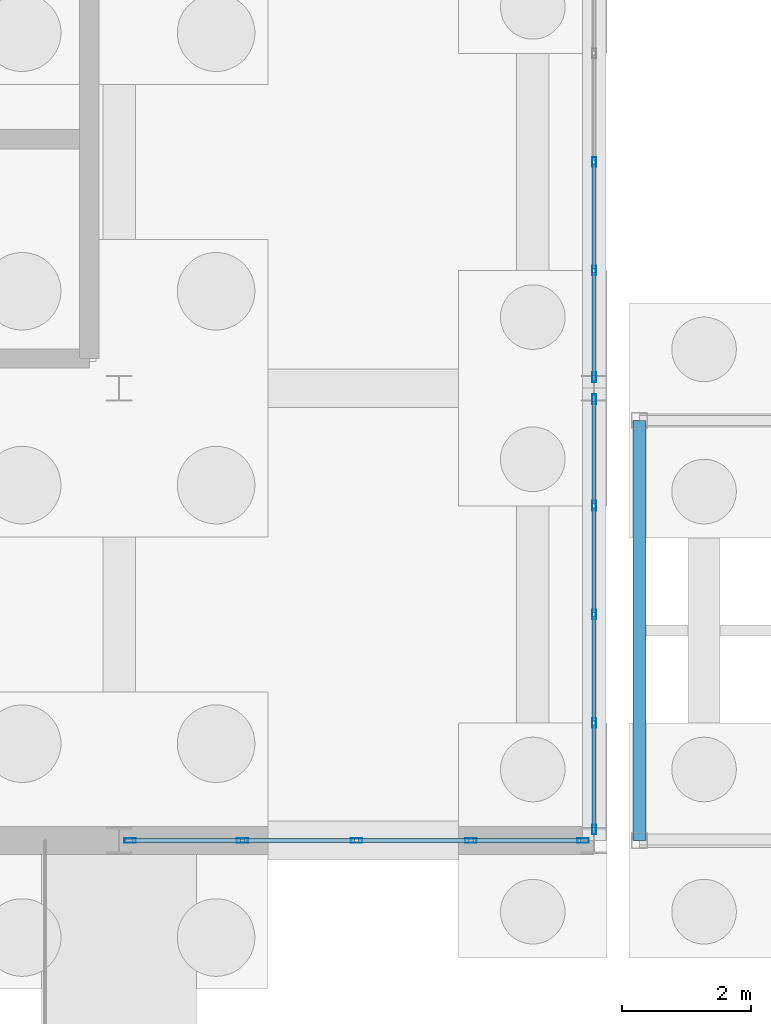
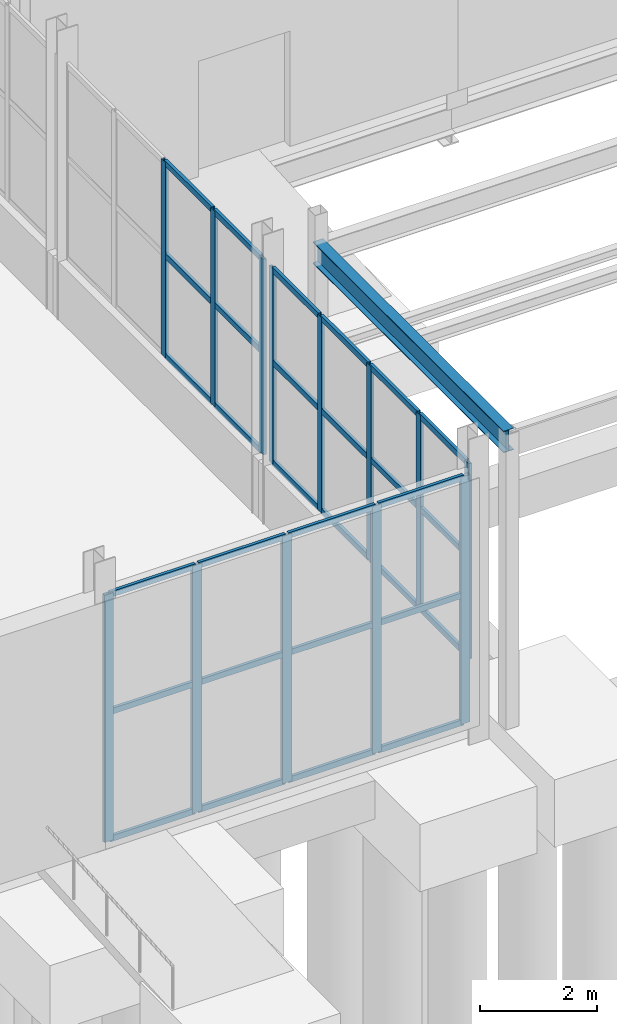
# One storey, part 55 of 139: 43 members, 1 beam, 3 elements without a shape of their own.
"""IFC4 building model written with IfcOpenShell, lengths in metres."""

from ifc_helpers import new_model, si_unit, direction, frame, origin, origin_2d, place, context, subcontext, project, spatial, hollow_rectangle, i_section, extrude, material, material_profile, profile_set, type_object, element, aggregate, save


model = new_model("IFC4")

# Units and contexts
model_context = context("Model", 3, precision=1e-05, world=origin(), true_north=direction((0.0, 1.0)))
body_context = subcontext(model_context, "Body", "Model", "MODEL_VIEW")
ifc_project = project(units=[si_unit("LENGTHUNIT", "METRE"), si_unit("AREAUNIT", "SQUARE_METRE"), si_unit("VOLUMEUNIT", "CUBIC_METRE"), si_unit("PLANEANGLEUNIT", "RADIAN"), si_unit("MASSUNIT", "GRAM", prefix="KILO")], contexts=[model_context])

# Site, building, storey
site_placement = place(None, origin())
site = spatial("IfcSite", under=ifc_project, at=site_placement, CompositionType="ELEMENT")
building_placement = place(site_placement, origin())
building = spatial("IfcBuilding", under=site, at=building_placement, Name="Kazenagashi Tramway Depot", CompositionType="ELEMENT")
storey_placement = place(building_placement, origin())
storey = spatial("IfcBuildingStorey", under=building, at=storey_placement, Name="L01", CompositionType="ELEMENT", Elevation=0.0)

# Beam
ifc_material_1 = material(Name="Weathering Steel SMA490W", Category="steel")
ifc_material_profile_1 = material_profile(ifc_material_1, i_section(OverallWidth=0.2, OverallDepth=0.45, WebThickness=0.009, FlangeThickness=0.014, at=origin_2d()), Name="H-450x200x9x14")
ifc_profile_set_1 = profile_set([ifc_material_profile_1], Name="Weathering Steel SMA490W")
beam_type = type_object("IfcBeamType", Name="G-04", PredefinedType="BEAM", material=ifc_profile_set_1)
beam_placement = place(storey_placement, frame((44.8, 0.0, 5.55), z_axis=(0.0, 1.0, 0.0), x_axis=(-1.0, 0.0, 0.0)))
element("IfcBeam", 1, at=beam_placement, inside=storey, type_object=beam_type, Name="Beam G-04 BM-1912", PredefinedType="BEAM", context=body_context, shape_type="SweptSolid", body=[
    extrude(i_section(OverallWidth=0.2, OverallDepth=0.45, WebThickness=0.009, FlangeThickness=0.014, at=origin_2d()), origin(), (0.0, 0.0, 1.0), 6.5),
])

# Curtain wall, members
ifc_material_2 = material(Name="Anodised Aluminium and Low-E Glazing", Category="aluminium")
curtain_wall_type_1 = type_object("IfcCurtainWallType", Name="CW-33", PredefinedType="USERDEFINED", material=ifc_material_2)
curtain_wall_1_placement = place(storey_placement, origin())
curtain_wall_1 = element("IfcCurtainWall", 2, at=curtain_wall_1_placement, inside=storey, type_object=curtain_wall_type_1, Name="Industrial Glazed Screen CW-33 CW-0180", ObjectType="GLAZED SCREEN", PredefinedType="USERDEFINED")
ifc_material_3 = material(Name="Anodised Aluminium", Category="aluminium")
ifc_material_profile_2 = material_profile(ifc_material_3, hollow_rectangle(XDim=0.06, YDim=0.15, WallThickness=0.004, at=origin_2d()), Name="RHS-150x60x4")
ifc_profile_set_2 = profile_set([ifc_material_profile_2], Name="Anodised Aluminium")
member_type_1 = type_object("IfcMemberType", Name="ML-01", PredefinedType="MULLION", material=ifc_profile_set_2)
member_1_placement = place(storey_placement, frame((44.1, 0.17, 1.2), z_axis=(0.0, 0.0, 1.0), x_axis=(-1.0, 0.0, 0.0)))
member_1 = element("IfcMember", 3, at=member_1_placement, type_object=member_type_1, Name="CW-33 mullion 1", PredefinedType="MULLION", context=body_context, shape_type="SweptSolid", body=[
    extrude(hollow_rectangle(XDim=0.06, YDim=0.15, WallThickness=0.004, at=origin_2d()), origin(), (0.0, 0.0, 1.0), 4.062),
])
member_2_placement = place(storey_placement, frame((44.1, 1.82, 1.2), z_axis=(0.0, 0.0, 1.0), x_axis=(-1.0, 0.0, 0.0)))
member_2 = element("IfcMember", 4, at=member_2_placement, type_object=member_type_1, Name="CW-33 mullion 2", PredefinedType="MULLION", context=body_context, shape_type="SweptSolid", body=[
    extrude(hollow_rectangle(XDim=0.06, YDim=0.15, WallThickness=0.004, at=origin_2d()), origin(), (0.0, 0.0, 1.0), 4.062),
])
member_3_placement = place(storey_placement, frame((44.1, 3.5, 1.2), z_axis=(0.0, 0.0, 1.0), x_axis=(-1.0, 0.0, 0.0)))
member_3 = element("IfcMember", 5, at=member_3_placement, type_object=member_type_1, Name="CW-33 mullion 3", PredefinedType="MULLION", context=body_context, shape_type="SweptSolid", body=[
    extrude(hollow_rectangle(XDim=0.06, YDim=0.15, WallThickness=0.004, at=origin_2d()), origin(), (0.0, 0.0, 1.0), 4.062),
])
member_4_placement = place(storey_placement, frame((44.1, 5.18, 1.2), z_axis=(0.0, 0.0, 1.0), x_axis=(-1.0, 0.0, 0.0)))
member_4 = element("IfcMember", 6, at=member_4_placement, type_object=member_type_1, Name="CW-33 mullion 4", PredefinedType="MULLION", context=body_context, shape_type="SweptSolid", body=[
    extrude(hollow_rectangle(XDim=0.06, YDim=0.15, WallThickness=0.004, at=origin_2d()), origin(), (0.0, 0.0, 1.0), 4.062),
])
member_5_placement = place(storey_placement, frame((44.1, 6.83, 1.2), z_axis=(0.0, 0.0, 1.0), x_axis=(-1.0, 0.0, 0.0)))
member_5 = element("IfcMember", 7, at=member_5_placement, type_object=member_type_1, Name="CW-33 mullion 5", PredefinedType="MULLION", context=body_context, shape_type="SweptSolid", body=[
    extrude(hollow_rectangle(XDim=0.06, YDim=0.15, WallThickness=0.004, at=origin_2d()), origin(), (0.0, 0.0, 1.0), 4.062),
])

curtain_wall_2_placement = place(storey_placement, origin())
curtain_wall_2 = element("IfcCurtainWall", 8, at=curtain_wall_2_placement, inside=storey, type_object=curtain_wall_type_1, Name="Industrial Glazed Screen CW-33 CW-0182", ObjectType="GLAZED SCREEN", PredefinedType="USERDEFINED")
member_6_placement = place(storey_placement, frame((44.1, 7.17, 1.2), z_axis=(0.0, 0.0, 1.0), x_axis=(-1.0, 0.0, 0.0)))
member_6 = element("IfcMember", 9, at=member_6_placement, type_object=member_type_1, Name="CW-33 mullion 1", PredefinedType="MULLION", context=body_context, shape_type="SweptSolid", body=[
    extrude(hollow_rectangle(XDim=0.06, YDim=0.15, WallThickness=0.004, at=origin_2d()), origin(), (0.0, 0.0, 1.0), 4.062),
])
member_7_placement = place(storey_placement, frame((44.1, 8.82, 1.2), z_axis=(0.0, 0.0, 1.0), x_axis=(-1.0, 0.0, 0.0)))
member_7 = element("IfcMember", 10, at=member_7_placement, type_object=member_type_1, Name="CW-33 mullion 2", PredefinedType="MULLION", context=body_context, shape_type="SweptSolid", body=[
    extrude(hollow_rectangle(XDim=0.06, YDim=0.15, WallThickness=0.004, at=origin_2d()), origin(), (0.0, 0.0, 1.0), 4.062),
])
member_8_placement = place(storey_placement, frame((44.1, 10.5, 1.2), z_axis=(0.0, 0.0, 1.0), x_axis=(-1.0, 0.0, 0.0)))
member_8 = element("IfcMember", 11, at=member_8_placement, type_object=member_type_1, Name="CW-33 mullion 3", PredefinedType="MULLION", context=body_context, shape_type="SweptSolid", body=[
    extrude(hollow_rectangle(XDim=0.06, YDim=0.15, WallThickness=0.004, at=origin_2d()), origin(), (0.0, 0.0, 1.0), 4.062),
])

curtain_wall_type_2 = type_object("IfcCurtainWallType", Name="CW-24", PredefinedType="USERDEFINED", material=ifc_material_2)
curtain_wall_3_placement = place(storey_placement, origin())
curtain_wall_3 = element("IfcCurtainWall", 12, at=curtain_wall_3_placement, inside=storey, type_object=curtain_wall_type_2, Name="Industrial Glazed Screen CW-24 CW-0142", ObjectType="GLAZED SCREEN", PredefinedType="USERDEFINED")
ifc_material_profile_3 = material_profile(ifc_material_3, hollow_rectangle(XDim=0.07, YDim=0.18, WallThickness=0.005, at=origin_2d()), Name="RHS-180x70x5")
ifc_profile_set_3 = profile_set([ifc_material_profile_3], Name="Anodised Aluminium")
member_type_2 = type_object("IfcMemberType", Name="ML-02", PredefinedType="MULLION", material=ifc_profile_set_3)
member_9_placement = place(storey_placement, frame((36.92, 0.0, 0.0), z_axis=(0.0, 0.0, 1.0), x_axis=(0.0, 1.0, 0.0)))
member_9 = element("IfcMember", 13, at=member_9_placement, type_object=member_type_2, Name="CW-24 mullion 1", PredefinedType="MULLION", context=body_context, shape_type="SweptSolid", body=[
    extrude(hollow_rectangle(XDim=0.07, YDim=0.18, WallThickness=0.005, at=origin_2d()), origin(), (0.0, 0.0, 1.0), 5.14),
])
member_10_placement = place(storey_placement, frame((38.6575, 0.0, 0.0), z_axis=(0.0, 0.0, 1.0), x_axis=(0.0, 1.0, 0.0)))
member_10 = element("IfcMember", 14, at=member_10_placement, type_object=member_type_2, Name="CW-24 mullion 2", PredefinedType="MULLION", context=body_context, shape_type="SweptSolid", body=[
    extrude(hollow_rectangle(XDim=0.07, YDim=0.18, WallThickness=0.005, at=origin_2d()), origin(), (0.0, 0.0, 1.0), 5.14),
])
member_11_placement = place(storey_placement, frame((40.425, 0.0, 0.0), z_axis=(0.0, 0.0, 1.0), x_axis=(0.0, 1.0, 0.0)))
member_11 = element("IfcMember", 15, at=member_11_placement, type_object=member_type_2, Name="CW-24 mullion 3", PredefinedType="MULLION", context=body_context, shape_type="SweptSolid", body=[
    extrude(hollow_rectangle(XDim=0.07, YDim=0.18, WallThickness=0.005, at=origin_2d()), origin(), (0.0, 0.0, 1.0), 5.14),
])
member_12_placement = place(storey_placement, frame((42.1925, 0.0, 0.0), z_axis=(0.0, 0.0, 1.0), x_axis=(0.0, 1.0, 0.0)))
member_12 = element("IfcMember", 16, at=member_12_placement, type_object=member_type_2, Name="CW-24 mullion 4", PredefinedType="MULLION", context=body_context, shape_type="SweptSolid", body=[
    extrude(hollow_rectangle(XDim=0.07, YDim=0.18, WallThickness=0.005, at=origin_2d()), origin(), (0.0, 0.0, 1.0), 5.14),
])
member_13_placement = place(storey_placement, frame((43.93, 0.0, 0.0), z_axis=(0.0, 0.0, 1.0), x_axis=(0.0, 1.0, 0.0)))
member_13 = element("IfcMember", 17, at=member_13_placement, type_object=member_type_2, Name="CW-24 mullion 5", PredefinedType="MULLION", context=body_context, shape_type="SweptSolid", body=[
    extrude(hollow_rectangle(XDim=0.07, YDim=0.18, WallThickness=0.005, at=origin_2d()), origin(), (0.0, 0.0, 1.0), 5.14),
])
ifc_material_profile_4 = material_profile(ifc_material_3, hollow_rectangle(XDim=0.06, YDim=0.12, WallThickness=0.004, at=origin_2d()), Name="RHS-120x60x4")
ifc_profile_set_4 = profile_set([ifc_material_profile_4], Name="Anodised Aluminium")
member_type_3 = type_object("IfcMemberType", Name="TR-01", PredefinedType="USERDEFINED", material=ifc_profile_set_4)
member_14_placement = place(storey_placement, frame((36.95, 0.0, 0.03), z_axis=(1.0, 0.0, 0.0), x_axis=(0.0, 1.0, 0.0)))
member_14 = element("IfcMember", 18, at=member_14_placement, type_object=member_type_3, Name="CW-24 transom 1.1", ObjectType="TRANSOM", PredefinedType="USERDEFINED", context=body_context, shape_type="SweptSolid", body=[
    extrude(hollow_rectangle(XDim=0.06, YDim=0.12, WallThickness=0.004, at=origin_2d()), origin(), (0.0, 0.0, 1.0), 1.6775),
])
member_15_placement = place(storey_placement, frame((36.95, 0.0, 2.673), z_axis=(1.0, 0.0, 0.0), x_axis=(0.0, 1.0, 0.0)))
member_15 = element("IfcMember", 19, at=member_15_placement, type_object=member_type_3, Name="CW-24 transom 1.2", ObjectType="TRANSOM", PredefinedType="USERDEFINED", context=body_context, shape_type="SweptSolid", body=[
    extrude(hollow_rectangle(XDim=0.06, YDim=0.12, WallThickness=0.004, at=origin_2d()), origin(), (0.0, 0.0, 1.0), 1.6775),
])
member_16_placement = place(storey_placement, frame((36.95, 0.0, 5.11), z_axis=(1.0, 0.0, 0.0), x_axis=(0.0, 1.0, 0.0)))
member_16 = element("IfcMember", 20, at=member_16_placement, type_object=member_type_3, Name="CW-24 transom 1.3", ObjectType="TRANSOM", PredefinedType="USERDEFINED", context=body_context, shape_type="SweptSolid", body=[
    extrude(hollow_rectangle(XDim=0.06, YDim=0.12, WallThickness=0.004, at=origin_2d()), origin(), (0.0, 0.0, 1.0), 1.6775),
])
member_17_placement = place(storey_placement, frame((38.6875, 0.0, 0.03), z_axis=(1.0, 0.0, 0.0), x_axis=(0.0, 1.0, 0.0)))
member_17 = element("IfcMember", 21, at=member_17_placement, type_object=member_type_3, Name="CW-24 transom 2.1", ObjectType="TRANSOM", PredefinedType="USERDEFINED", context=body_context, shape_type="SweptSolid", body=[
    extrude(hollow_rectangle(XDim=0.06, YDim=0.12, WallThickness=0.004, at=origin_2d()), origin(), (0.0, 0.0, 1.0), 1.7075),
])
member_18_placement = place(storey_placement, frame((38.6875, 0.0, 2.673), z_axis=(1.0, 0.0, 0.0), x_axis=(0.0, 1.0, 0.0)))
member_18 = element("IfcMember", 22, at=member_18_placement, type_object=member_type_3, Name="CW-24 transom 2.2", ObjectType="TRANSOM", PredefinedType="USERDEFINED", context=body_context, shape_type="SweptSolid", body=[
    extrude(hollow_rectangle(XDim=0.06, YDim=0.12, WallThickness=0.004, at=origin_2d()), origin(), (0.0, 0.0, 1.0), 1.7075),
])
member_19_placement = place(storey_placement, frame((38.6875, 0.0, 5.11), z_axis=(1.0, 0.0, 0.0), x_axis=(0.0, 1.0, 0.0)))
member_19 = element("IfcMember", 23, at=member_19_placement, type_object=member_type_3, Name="CW-24 transom 2.3", ObjectType="TRANSOM", PredefinedType="USERDEFINED", context=body_context, shape_type="SweptSolid", body=[
    extrude(hollow_rectangle(XDim=0.06, YDim=0.12, WallThickness=0.004, at=origin_2d()), origin(), (0.0, 0.0, 1.0), 1.7075),
])
member_20_placement = place(storey_placement, frame((40.455, 0.0, 0.03), z_axis=(1.0, 0.0, 0.0), x_axis=(0.0, 1.0, 0.0)))
member_20 = element("IfcMember", 24, at=member_20_placement, type_object=member_type_3, Name="CW-24 transom 3.1", ObjectType="TRANSOM", PredefinedType="USERDEFINED", context=body_context, shape_type="SweptSolid", body=[
    extrude(hollow_rectangle(XDim=0.06, YDim=0.12, WallThickness=0.004, at=origin_2d()), origin(), (0.0, 0.0, 1.0), 1.7075),
])
member_21_placement = place(storey_placement, frame((40.455, 0.0, 2.673), z_axis=(1.0, 0.0, 0.0), x_axis=(0.0, 1.0, 0.0)))
member_21 = element("IfcMember", 25, at=member_21_placement, type_object=member_type_3, Name="CW-24 transom 3.2", ObjectType="TRANSOM", PredefinedType="USERDEFINED", context=body_context, shape_type="SweptSolid", body=[
    extrude(hollow_rectangle(XDim=0.06, YDim=0.12, WallThickness=0.004, at=origin_2d()), origin(), (0.0, 0.0, 1.0), 1.7075),
])
member_22_placement = place(storey_placement, frame((40.455, 0.0, 5.11), z_axis=(1.0, 0.0, 0.0), x_axis=(0.0, 1.0, 0.0)))
member_22 = element("IfcMember", 26, at=member_22_placement, type_object=member_type_3, Name="CW-24 transom 3.3", ObjectType="TRANSOM", PredefinedType="USERDEFINED", context=body_context, shape_type="SweptSolid", body=[
    extrude(hollow_rectangle(XDim=0.06, YDim=0.12, WallThickness=0.004, at=origin_2d()), origin(), (0.0, 0.0, 1.0), 1.7075),
])
member_23_placement = place(storey_placement, frame((42.2225, 0.0, 0.03), z_axis=(1.0, 0.0, 0.0), x_axis=(0.0, 1.0, 0.0)))
member_23 = element("IfcMember", 27, at=member_23_placement, type_object=member_type_3, Name="CW-24 transom 4.1", ObjectType="TRANSOM", PredefinedType="USERDEFINED", context=body_context, shape_type="SweptSolid", body=[
    extrude(hollow_rectangle(XDim=0.06, YDim=0.12, WallThickness=0.004, at=origin_2d()), origin(), (0.0, 0.0, 1.0), 1.6775),
])
member_24_placement = place(storey_placement, frame((42.2225, 0.0, 2.673), z_axis=(1.0, 0.0, 0.0), x_axis=(0.0, 1.0, 0.0)))
member_24 = element("IfcMember", 28, at=member_24_placement, type_object=member_type_3, Name="CW-24 transom 4.2", ObjectType="TRANSOM", PredefinedType="USERDEFINED", context=body_context, shape_type="SweptSolid", body=[
    extrude(hollow_rectangle(XDim=0.06, YDim=0.12, WallThickness=0.004, at=origin_2d()), origin(), (0.0, 0.0, 1.0), 1.6775),
])
member_25_placement = place(storey_placement, frame((42.2225, 0.0, 5.11), z_axis=(1.0, 0.0, 0.0), x_axis=(0.0, 1.0, 0.0)))
member_25 = element("IfcMember", 29, at=member_25_placement, type_object=member_type_3, Name="CW-24 transom 4.3", ObjectType="TRANSOM", PredefinedType="USERDEFINED", context=body_context, shape_type="SweptSolid", body=[
    extrude(hollow_rectangle(XDim=0.06, YDim=0.12, WallThickness=0.004, at=origin_2d()), origin(), (0.0, 0.0, 1.0), 1.6775),
])
aggregate(curtain_wall_3, [member_9, member_10, member_11, member_12, member_13, member_14, member_15, member_16, member_17, member_18, member_19, member_20, member_21, member_22, member_23, member_24, member_25])

# Member
member_26_placement = place(storey_placement, frame((44.1, 0.2, 1.23), z_axis=(0.0, 1.0, 0.0), x_axis=(-1.0, 0.0, 0.0)))
member_26 = element("IfcMember", 30, at=member_26_placement, type_object=member_type_3, Name="CW-33 transom 1.1", ObjectType="TRANSOM", PredefinedType="USERDEFINED", context=body_context, shape_type="SweptSolid", body=[
    extrude(hollow_rectangle(XDim=0.06, YDim=0.12, WallThickness=0.004, at=origin_2d()), origin(), (0.0, 0.0, 1.0), 1.59),
])

member_27_placement = place(storey_placement, frame((44.1, 0.2, 3.312), z_axis=(0.0, 1.0, 0.0), x_axis=(-1.0, 0.0, 0.0)))
member_27 = element("IfcMember", 31, at=member_27_placement, type_object=member_type_3, Name="CW-33 transom 1.2", ObjectType="TRANSOM", PredefinedType="USERDEFINED", context=body_context, shape_type="SweptSolid", body=[
    extrude(hollow_rectangle(XDim=0.06, YDim=0.12, WallThickness=0.004, at=origin_2d()), origin(), (0.0, 0.0, 1.0), 1.59),
])

member_28_placement = place(storey_placement, frame((44.1, 0.2, 5.232), z_axis=(0.0, 1.0, 0.0), x_axis=(-1.0, 0.0, 0.0)))
member_28 = element("IfcMember", 32, at=member_28_placement, type_object=member_type_3, Name="CW-33 transom 1.3", ObjectType="TRANSOM", PredefinedType="USERDEFINED", context=body_context, shape_type="SweptSolid", body=[
    extrude(hollow_rectangle(XDim=0.06, YDim=0.12, WallThickness=0.004, at=origin_2d()), origin(), (0.0, 0.0, 1.0), 1.59),
])

member_29_placement = place(storey_placement, frame((44.1, 1.85, 1.23), z_axis=(0.0, 1.0, 0.0), x_axis=(-1.0, 0.0, 0.0)))
member_29 = element("IfcMember", 33, at=member_29_placement, type_object=member_type_3, Name="CW-33 transom 2.1", ObjectType="TRANSOM", PredefinedType="USERDEFINED", context=body_context, shape_type="SweptSolid", body=[
    extrude(hollow_rectangle(XDim=0.06, YDim=0.12, WallThickness=0.004, at=origin_2d()), origin(), (0.0, 0.0, 1.0), 1.62),
])

member_30_placement = place(storey_placement, frame((44.1, 1.85, 3.312), z_axis=(0.0, 1.0, 0.0), x_axis=(-1.0, 0.0, 0.0)))
member_30 = element("IfcMember", 34, at=member_30_placement, type_object=member_type_3, Name="CW-33 transom 2.2", ObjectType="TRANSOM", PredefinedType="USERDEFINED", context=body_context, shape_type="SweptSolid", body=[
    extrude(hollow_rectangle(XDim=0.06, YDim=0.12, WallThickness=0.004, at=origin_2d()), origin(), (0.0, 0.0, 1.0), 1.62),
])

member_31_placement = place(storey_placement, frame((44.1, 1.85, 5.232), z_axis=(0.0, 1.0, 0.0), x_axis=(-1.0, 0.0, 0.0)))
member_31 = element("IfcMember", 35, at=member_31_placement, type_object=member_type_3, Name="CW-33 transom 2.3", ObjectType="TRANSOM", PredefinedType="USERDEFINED", context=body_context, shape_type="SweptSolid", body=[
    extrude(hollow_rectangle(XDim=0.06, YDim=0.12, WallThickness=0.004, at=origin_2d()), origin(), (0.0, 0.0, 1.0), 1.62),
])

member_32_placement = place(storey_placement, frame((44.1, 3.53, 1.23), z_axis=(0.0, 1.0, 0.0), x_axis=(-1.0, 0.0, 0.0)))
member_32 = element("IfcMember", 36, at=member_32_placement, type_object=member_type_3, Name="CW-33 transom 3.1", ObjectType="TRANSOM", PredefinedType="USERDEFINED", context=body_context, shape_type="SweptSolid", body=[
    extrude(hollow_rectangle(XDim=0.06, YDim=0.12, WallThickness=0.004, at=origin_2d()), origin(), (0.0, 0.0, 1.0), 1.62),
])

member_33_placement = place(storey_placement, frame((44.1, 3.53, 3.312), z_axis=(0.0, 1.0, 0.0), x_axis=(-1.0, 0.0, 0.0)))
member_33 = element("IfcMember", 37, at=member_33_placement, type_object=member_type_3, Name="CW-33 transom 3.2", ObjectType="TRANSOM", PredefinedType="USERDEFINED", context=body_context, shape_type="SweptSolid", body=[
    extrude(hollow_rectangle(XDim=0.06, YDim=0.12, WallThickness=0.004, at=origin_2d()), origin(), (0.0, 0.0, 1.0), 1.62),
])

member_34_placement = place(storey_placement, frame((44.1, 3.53, 5.232), z_axis=(0.0, 1.0, 0.0), x_axis=(-1.0, 0.0, 0.0)))
member_34 = element("IfcMember", 38, at=member_34_placement, type_object=member_type_3, Name="CW-33 transom 3.3", ObjectType="TRANSOM", PredefinedType="USERDEFINED", context=body_context, shape_type="SweptSolid", body=[
    extrude(hollow_rectangle(XDim=0.06, YDim=0.12, WallThickness=0.004, at=origin_2d()), origin(), (0.0, 0.0, 1.0), 1.62),
])

member_35_placement = place(storey_placement, frame((44.1, 5.21, 1.23), z_axis=(0.0, 1.0, 0.0), x_axis=(-1.0, 0.0, 0.0)))
member_35 = element("IfcMember", 39, at=member_35_placement, type_object=member_type_3, Name="CW-33 transom 4.1", ObjectType="TRANSOM", PredefinedType="USERDEFINED", context=body_context, shape_type="SweptSolid", body=[
    extrude(hollow_rectangle(XDim=0.06, YDim=0.12, WallThickness=0.004, at=origin_2d()), origin(), (0.0, 0.0, 1.0), 1.59),
])

member_36_placement = place(storey_placement, frame((44.1, 5.21, 3.312), z_axis=(0.0, 1.0, 0.0), x_axis=(-1.0, 0.0, 0.0)))
member_36 = element("IfcMember", 40, at=member_36_placement, type_object=member_type_3, Name="CW-33 transom 4.2", ObjectType="TRANSOM", PredefinedType="USERDEFINED", context=body_context, shape_type="SweptSolid", body=[
    extrude(hollow_rectangle(XDim=0.06, YDim=0.12, WallThickness=0.004, at=origin_2d()), origin(), (0.0, 0.0, 1.0), 1.59),
])

member_37_placement = place(storey_placement, frame((44.1, 5.21, 5.232), z_axis=(0.0, 1.0, 0.0), x_axis=(-1.0, 0.0, 0.0)))
member_37 = element("IfcMember", 41, at=member_37_placement, type_object=member_type_3, Name="CW-33 transom 4.3", ObjectType="TRANSOM", PredefinedType="USERDEFINED", context=body_context, shape_type="SweptSolid", body=[
    extrude(hollow_rectangle(XDim=0.06, YDim=0.12, WallThickness=0.004, at=origin_2d()), origin(), (0.0, 0.0, 1.0), 1.59),
])

aggregate(curtain_wall_1, [member_1, member_2, member_3, member_4, member_5, member_26, member_27, member_28, member_29, member_30, member_31, member_32, member_33, member_34, member_35, member_36, member_37])

member_38_placement = place(storey_placement, frame((44.1, 7.2, 1.23), z_axis=(0.0, 1.0, 0.0), x_axis=(-1.0, 0.0, 0.0)))
member_38 = element("IfcMember", 42, at=member_38_placement, type_object=member_type_3, Name="CW-33 transom 1.1", ObjectType="TRANSOM", PredefinedType="USERDEFINED", context=body_context, shape_type="SweptSolid", body=[
    extrude(hollow_rectangle(XDim=0.06, YDim=0.12, WallThickness=0.004, at=origin_2d()), origin(), (0.0, 0.0, 1.0), 1.59),
])

member_39_placement = place(storey_placement, frame((44.1, 7.2, 3.312), z_axis=(0.0, 1.0, 0.0), x_axis=(-1.0, 0.0, 0.0)))
member_39 = element("IfcMember", 43, at=member_39_placement, type_object=member_type_3, Name="CW-33 transom 1.2", ObjectType="TRANSOM", PredefinedType="USERDEFINED", context=body_context, shape_type="SweptSolid", body=[
    extrude(hollow_rectangle(XDim=0.06, YDim=0.12, WallThickness=0.004, at=origin_2d()), origin(), (0.0, 0.0, 1.0), 1.59),
])

member_40_placement = place(storey_placement, frame((44.1, 7.2, 5.232), z_axis=(0.0, 1.0, 0.0), x_axis=(-1.0, 0.0, 0.0)))
member_40 = element("IfcMember", 44, at=member_40_placement, type_object=member_type_3, Name="CW-33 transom 1.3", ObjectType="TRANSOM", PredefinedType="USERDEFINED", context=body_context, shape_type="SweptSolid", body=[
    extrude(hollow_rectangle(XDim=0.06, YDim=0.12, WallThickness=0.004, at=origin_2d()), origin(), (0.0, 0.0, 1.0), 1.59),
])

member_41_placement = place(storey_placement, frame((44.1, 8.85, 1.23), z_axis=(0.0, 1.0, 0.0), x_axis=(-1.0, 0.0, 0.0)))
member_41 = element("IfcMember", 45, at=member_41_placement, type_object=member_type_3, Name="CW-33 transom 2.1", ObjectType="TRANSOM", PredefinedType="USERDEFINED", context=body_context, shape_type="SweptSolid", body=[
    extrude(hollow_rectangle(XDim=0.06, YDim=0.12, WallThickness=0.004, at=origin_2d()), origin(), (0.0, 0.0, 1.0), 1.62),
])

member_42_placement = place(storey_placement, frame((44.1, 8.85, 3.312), z_axis=(0.0, 1.0, 0.0), x_axis=(-1.0, 0.0, 0.0)))
member_42 = element("IfcMember", 46, at=member_42_placement, type_object=member_type_3, Name="CW-33 transom 2.2", ObjectType="TRANSOM", PredefinedType="USERDEFINED", context=body_context, shape_type="SweptSolid", body=[
    extrude(hollow_rectangle(XDim=0.06, YDim=0.12, WallThickness=0.004, at=origin_2d()), origin(), (0.0, 0.0, 1.0), 1.62),
])

member_43_placement = place(storey_placement, frame((44.1, 8.85, 5.232), z_axis=(0.0, 1.0, 0.0), x_axis=(-1.0, 0.0, 0.0)))
member_43 = element("IfcMember", 47, at=member_43_placement, type_object=member_type_3, Name="CW-33 transom 2.3", ObjectType="TRANSOM", PredefinedType="USERDEFINED", context=body_context, shape_type="SweptSolid", body=[
    extrude(hollow_rectangle(XDim=0.06, YDim=0.12, WallThickness=0.004, at=origin_2d()), origin(), (0.0, 0.0, 1.0), 1.62),
])

aggregate(curtain_wall_2, [member_6, member_7, member_8, member_38, member_39, member_40, member_41, member_42, member_43])

save(model, "model.ifc")
